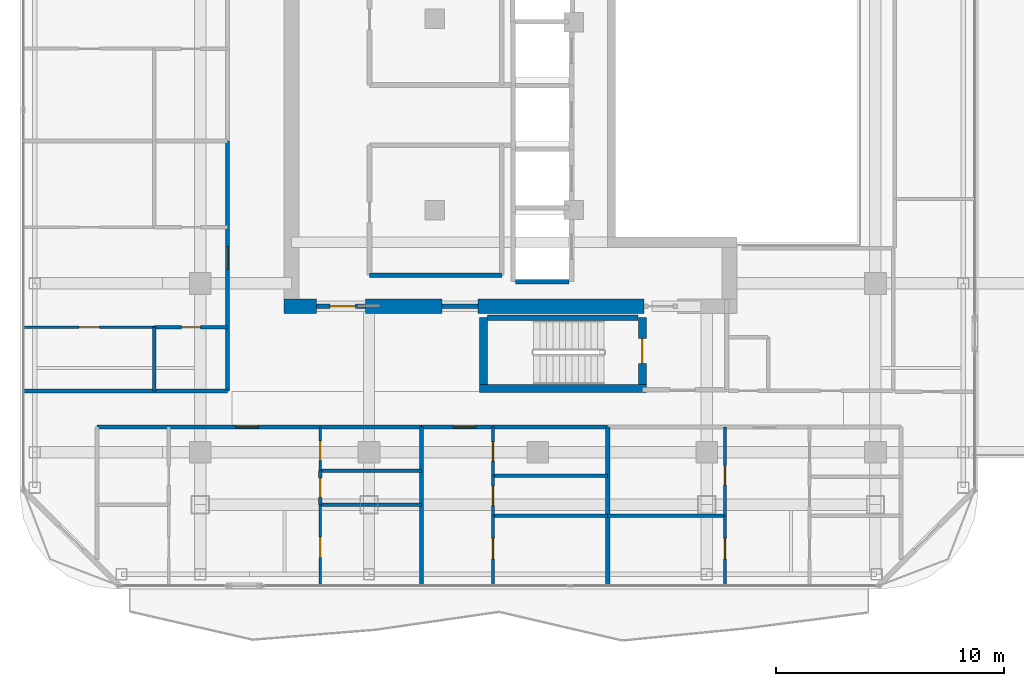
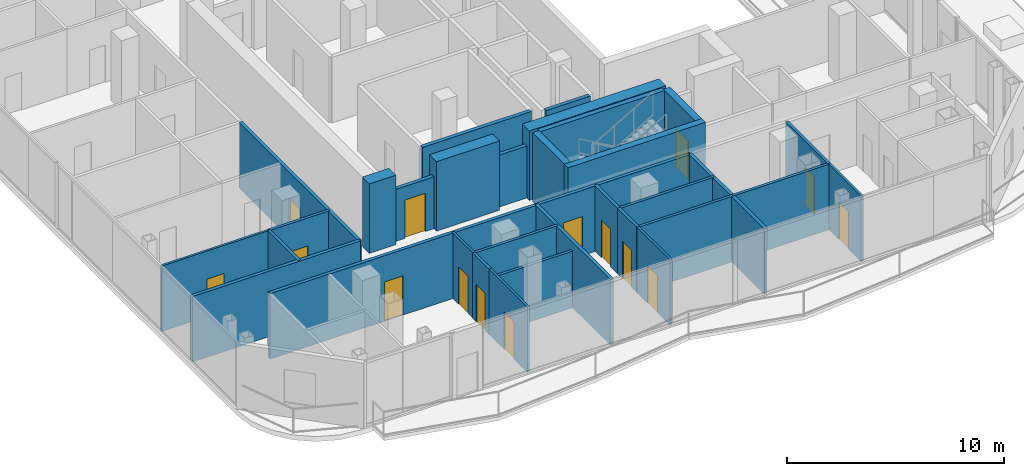
# One storey, part 17 of 24: 33 walls, 15 doors, 15 openings.
"""IFC4 building model written with IfcOpenShell, lengths in metres."""

from ifc_helpers import new_model, si_unit, direction, frame, frame_2d, origin, place, context, subcontext, project, spatial, rectangle, extrude, material, layer, layer_set, type_object, element, fill, save


model = new_model("IFC4")

# Units and contexts
model_context = context("Model", 3, precision=1e-05, world=origin(), true_north=direction((0.0, 1.0)))
body_context = subcontext(model_context, "Body", "Model", "MODEL_VIEW")
ifc_project = project(units=[si_unit("LENGTHUNIT", "METRE"), si_unit("AREAUNIT", "SQUARE_METRE"), si_unit("VOLUMEUNIT", "CUBIC_METRE"), si_unit("PLANEANGLEUNIT", "RADIAN"), si_unit("MASSUNIT", "GRAM", prefix="KILO")], contexts=[model_context])

# Site, building, storey
site_placement = place(None, origin())
site = spatial("IfcSite", under=ifc_project, at=site_placement, CompositionType="ELEMENT")
building_placement = place(site_placement, origin())
building = spatial("IfcBuilding", under=site, at=building_placement, Name="Khorvyn Point Tower", CompositionType="ELEMENT")
storey_placement = place(building_placement, frame((0.0, 0.0, 285.89990234375)))
storey = spatial("IfcBuildingStorey", under=building, at=storey_placement, Name="L70", CompositionType="ELEMENT", Elevation=285.89990234375)

# Wall, opening, door
ifc_material_1 = material(Name="Double acoustic gypsum on twin steel stud", Category="steel")
ifc_layer_1 = layer(ifc_material_1, 0.179931640625)
ifc_layer_set_1 = layer_set([ifc_layer_1], Name="Acoustic Double-Stud Apartment Demising Wall 180")
wall_type_1 = type_object("IfcWallType", Name="Acoustic Double-Stud Apartment Demising Wall 180", PredefinedType="PARTITIONING", material=ifc_layer_set_1)
wall_1_placement = place(storey_placement, frame((-19.320068359375, -13.699951171875, 0.0), z_axis=(0.0, 0.0, 1.0), x_axis=(1.0, 0.0, 0.0)))
wall_1 = element("IfcWall", 1, at=wall_1_placement, inside=storey, type_object=wall_type_1, Name="Wall", PredefinedType="PARTITIONING", context=body_context, shape_type="SweptSolid", body=[
    extrude(rectangle(XDim=14.213134765625, YDim=0.179931640625, at=frame_2d((7.1064453125, 0.0))), origin(), (0.0, 0.0, 1.0), 3.68017578125),
])
opening_1_placement = place(wall_1_placement, frame((6.0693359375, 0.0, 0.0)))
opening_1 = element("IfcOpeningElement", 2, at=opening_1_placement, cuts=wall_1, Name="Opening ID-AP60", PredefinedType="OPENING", context=body_context, shape_type="SweptSolid", body=[
    extrude(rectangle(XDim=1.0, YDim=2.199951171875, at=frame_2d((0.5, 1.10009765625))), frame((0.0, 0.099853515625, 0.0), z_axis=(0.0, -1.0, 0.0), x_axis=(1.0, 0.0, 0.0)), (0.0, 0.0, 1.0), 0.199951171875),
])
ifc_material_2 = material(Name="Engineered hardwood fire-rated leaf", Category="wood")
door_type_1 = type_object("IfcDoorType", Name="Acoustic Solid-Core Timber Apartment Entrance Door 1000x2200", OperationType="NOTDEFINED", PredefinedType="DOOR", material=ifc_material_2)
door_1_placement = place(opening_1_placement, origin())
door_1 = element("IfcDoor", 3, at=door_1_placement, inside=storey, type_object=door_type_1, Name="Door", OperationType="SINGLE_SWING_RIGHT", OverallHeight=2.199951171875, OverallWidth=1.0, PredefinedType="DOOR", context=body_context, shape_type="SweptSolid", body=[
    extrude(rectangle(XDim=1.0, YDim=2.199951171875, at=frame_2d((0.5, 1.10009765625))), frame((0.0, 0.02490234375, 0.0), z_axis=(0.0, -1.0, 0.0), x_axis=(1.0, 0.0, 0.0)), (0.0, 0.0, 1.0), 0.050048828125),
])
fill(opening_1, door_1)

wall_2_placement = place(storey_placement, frame((-5.10693359375, -13.699951171875, 0.0), z_axis=(0.0, 0.0, 1.0), x_axis=(1.0, 0.0, 0.0)))
wall_2 = element("IfcWall", 4, at=wall_2_placement, inside=storey, type_object=wall_type_1, Name="Wall", PredefinedType="PARTITIONING", context=body_context, shape_type="SweptSolid", body=[
    extrude(rectangle(XDim=8.169921875, YDim=0.179931640625, at=frame_2d((4.0849609375, 0.0))), origin(), (0.0, 0.0, 1.0), 3.68017578125),
])
opening_2_placement = place(wall_2_placement, frame((1.389404296875, 0.0, 0.0)))
opening_2 = element("IfcOpeningElement", 5, at=opening_2_placement, cuts=wall_2, Name="Opening ID-AP60", PredefinedType="OPENING", context=body_context, shape_type="SweptSolid", body=[
    extrude(rectangle(XDim=1.0, YDim=2.199951171875, at=frame_2d((0.5, 1.10009765625))), frame((0.0, 0.099853515625, 0.0), z_axis=(0.0, -1.0, 0.0), x_axis=(1.0, 0.0, 0.0)), (0.0, 0.0, 1.0), 0.199951171875),
])
door_2_placement = place(opening_2_placement, origin())
door_2 = element("IfcDoor", 6, at=door_2_placement, inside=storey, type_object=door_type_1, Name="Door", OperationType="SINGLE_SWING_RIGHT", OverallHeight=2.199951171875, OverallWidth=1.0, PredefinedType="DOOR", context=body_context, shape_type="SweptSolid", body=[
    extrude(rectangle(XDim=1.0, YDim=2.199951171875, at=frame_2d((0.5, 1.10009765625))), frame((0.0, 0.02490234375, 0.0), z_axis=(0.0, -1.0, 0.0), x_axis=(1.0, 0.0, 0.0)), (0.0, 0.0, 1.0), 0.050048828125),
])
fill(opening_2, door_2)

wall_3_placement = place(storey_placement, frame((-13.60009765625, -12.1201171875, 0.0), z_axis=(0.0, 0.0, 1.0), x_axis=(0.0, 1.0, 0.0)))
wall_3 = element("IfcWall", 7, at=wall_3_placement, inside=storey, type_object=wall_type_1, Name="Wall", PredefinedType="PARTITIONING", context=body_context, shape_type="SweptSolid", body=[
    extrude(rectangle(XDim=10.9560546875, YDim=0.179931640625, at=frame_2d((5.47802734375, 0.0))), origin(), (0.0, 0.0, 1.0), 3.68017578125),
])
opening_3_placement = place(wall_3_placement, frame((5.3349609375, 0.0, 0.0)))
opening_3 = element("IfcOpeningElement", 8, at=opening_3_placement, cuts=wall_3, Name="Opening ID-AP60", PredefinedType="OPENING", context=body_context, shape_type="SweptSolid", body=[
    extrude(rectangle(XDim=1.0, YDim=2.199951171875, at=frame_2d((0.5, 1.10009765625))), frame((0.0, 0.099853515625, 0.0), z_axis=(0.0, -1.0, 0.0), x_axis=(1.0, 0.0, 0.0)), (0.0, 0.0, 1.0), 0.199951171875),
])
door_3_placement = place(opening_3_placement, origin())
door_3 = element("IfcDoor", 9, at=door_3_placement, inside=storey, type_object=door_type_1, Name="Door", OperationType="SINGLE_SWING_RIGHT", OverallHeight=2.199951171875, OverallWidth=1.0, PredefinedType="DOOR", context=body_context, shape_type="SweptSolid", body=[
    extrude(rectangle(XDim=1.0, YDim=2.199951171875, at=frame_2d((0.5, 1.10009765625))), frame((0.0, 0.02490234375, 0.0), z_axis=(0.0, -1.0, 0.0), x_axis=(1.0, 0.0, 0.0)), (0.0, 0.0, 1.0), 0.050048828125),
])
fill(opening_3, door_3)

# Walls
for number, where, z_axis, x_axis, name in (
    (10, (-5.10693359375, -20.6298828125, 0.0), (0.0, 0.0, 1.0), (0.0, 1.0, 0.0), "Wall"),
    (11, (3.06298828125, -20.6298828125, 0.0), (0.0, 0.0, 1.0), (0.0, 1.0, 0.0), "Wall"),
):
    element("IfcWall", number, at=place(storey_placement, frame(where, z_axis=z_axis, x_axis=x_axis)), inside=storey, type_object=wall_type_1, Name=name, PredefinedType="PARTITIONING", context=body_context, shape_type="SweptSolid", body=[
        extrude(rectangle(XDim=6.929931640625, YDim=0.179931640625, at=frame_2d((3.46484375, 0.0))), origin(), (0.0, 0.0, 1.0), 3.68017578125),
    ])
wall_4_placement = place(storey_placement, frame((-22.530029296875, -12.1201171875, 0.0), z_axis=(0.0, 0.0, 1.0), x_axis=(1.0, 0.0, 0.0)))
element("IfcWall", 12, at=wall_4_placement, inside=storey, type_object=wall_type_1, Name="Wall", PredefinedType="PARTITIONING", context=body_context, shape_type="SweptSolid", body=[
    extrude(rectangle(XDim=8.929931640625, YDim=0.179931640625, at=frame_2d((4.46484375, 0.0))), origin(), (0.0, 0.0, 1.0), 3.68017578125),
])
ifc_material_3 = material(Name="Concrete C40/50", Category="concrete")
ifc_layer_2 = layer(ifc_material_3, 0.64990234375)
ifc_layer_set_2 = layer_set([ifc_layer_2], Name="Concrete C40/50 Core Shear Wall 650")
wall_type_2 = type_object("IfcWallType", Name="Concrete C40/50 Core Shear Wall 650", PredefinedType="SHEAR", material=ifc_layer_set_2)
wall_5_placement = place(storey_placement, frame((-11.125, -8.39990234375, 0.0), z_axis=(0.0, 0.0, 1.0), x_axis=(1.0, 0.0, 0.0)))
element("IfcWall", 13, at=wall_5_placement, inside=storey, type_object=wall_type_2, Name="Wall", PredefinedType="SHEAR", context=body_context, shape_type="SweptSolid", body=[
    extrude(rectangle(XDim=1.425048828125, YDim=0.64990234375, at=frame_2d((0.71240234375, 0.0))), origin(), (0.0, 0.0, 1.0), 3.900146484375),
])
wall_6_placement = place(storey_placement, frame((-7.550048828125, -8.39990234375, 0.0), z_axis=(0.0, 0.0, 1.0), x_axis=(1.0, 0.0, 0.0)))
element("IfcWall", 14, at=wall_6_placement, inside=storey, type_object=wall_type_2, Name="Wall", PredefinedType="SHEAR", context=body_context, shape_type="SweptSolid", body=[
    extrude(rectangle(XDim=3.35009765625, YDim=0.64990234375, at=frame_2d((1.675048828125, 0.0))), origin(), (0.0, 0.0, 1.0), 3.900146484375),
])
wall_7_placement = place(storey_placement, frame((-2.6201171875, -8.39990234375, 0.0), z_axis=(0.0, 0.0, 1.0), x_axis=(1.0, 0.0, 0.0)))
element("IfcWall", 15, at=wall_7_placement, inside=storey, type_object=wall_type_2, Name="Wall", PredefinedType="SHEAR", context=body_context, shape_type="SweptSolid", body=[
    extrude(rectangle(XDim=7.27001953125, YDim=0.64990234375, at=frame_2d((3.635009765625, 0.0))), origin(), (0.0, 0.0, 1.0), 3.900146484375),
])

# Wall, opening, door
ifc_layer_3 = layer(ifc_material_3, 0.199951171875)
ifc_layer_set_3 = layer_set([ifc_layer_3], Name="Concrete C40/50 Fire-Lobby Compartment Wall 200")
wall_type_3 = type_object("IfcWallType", Name="Concrete C40/50 Fire-Lobby Compartment Wall 200", PredefinedType="SOLIDWALL", material=ifc_layer_set_3)
wall_8_placement = place(storey_placement, frame((-9.699951171875, -8.39990234375, 0.0), z_axis=(0.0, 0.0, 1.0), x_axis=(1.0, 0.0, 0.0)))
wall_8 = element("IfcWall", 16, at=wall_8_placement, inside=storey, type_object=wall_type_3, Name="Wall", PredefinedType="SOLIDWALL", context=body_context, shape_type="SweptSolid", body=[
    extrude(rectangle(XDim=2.14990234375, YDim=0.199951171875, at=frame_2d((1.074951171875, 0.0))), origin(), (0.0, 0.0, 1.0), 2.920166015625),
])
opening_4_placement = place(wall_8_placement, frame((0.597900390625, 0.0, 0.0)))
opening_4 = element("IfcOpeningElement", 17, at=opening_4_placement, cuts=wall_8, Name="Opening ID-FL90", PredefinedType="OPENING", context=body_context, shape_type="SweptSolid", body=[
    extrude(rectangle(XDim=1.10009765625, YDim=2.14990234375, at=frame_2d((0.550048828125, 1.074951171875))), frame((0.0, 0.10986328125, 0.0), z_axis=(0.0, -1.0, 0.0), x_axis=(1.0, 0.0, 0.0)), (0.0, 0.0, 1.0), 0.219970703125),
])
ifc_material_4 = material(Name="Galvanised powder-coated steel", Category="steel")
door_type_2 = type_object("IfcDoorType", Name="Fire-Rated Steel Lobby and Stair Door 1100x2150", OperationType="NOTDEFINED", PredefinedType="DOOR", material=ifc_material_4)
door_4_placement = place(opening_4_placement, origin())
door_4 = element("IfcDoor", 18, at=door_4_placement, inside=storey, type_object=door_type_2, Name="Door", OperationType="SINGLE_SWING_RIGHT", OverallHeight=2.14990234375, OverallWidth=1.10009765625, PredefinedType="DOOR", context=body_context, shape_type="SweptSolid", body=[
    extrude(rectangle(XDim=1.10009765625, YDim=2.14990234375, at=frame_2d((0.550048828125, 1.074951171875))), frame((0.0, 0.02490234375, 0.0), z_axis=(0.0, -1.0, 0.0), x_axis=(1.0, 0.0, 0.0)), (0.0, 0.0, 1.0), 0.050048828125),
])
fill(opening_4, door_4)

# Walls
wall_9_placement = place(storey_placement, frame((-4.199951171875, -8.39990234375, 0.0), z_axis=(0.0, 0.0, 1.0), x_axis=(1.0, 0.0, 0.0)))
element("IfcWall", 19, at=wall_9_placement, inside=storey, type_object=wall_type_3, Name="Wall", PredefinedType="SOLIDWALL", context=body_context, shape_type="SweptSolid", body=[
    extrude(rectangle(XDim=1.579833984375, YDim=0.199951171875, at=frame_2d((0.7900390625, 0.0))), origin(), (0.0, 0.0, 1.0), 2.920166015625),
])
wall_10_placement = place(storey_placement, frame((-7.3798828125, -7.0400390625, 0.0), z_axis=(0.0, 0.0, 1.0), x_axis=(1.0, 0.0, 0.0)))
element("IfcWall", 20, at=wall_10_placement, inside=storey, type_object=wall_type_3, Name="Wall", PredefinedType="SOLIDWALL", context=body_context, shape_type="SweptSolid", body=[
    extrude(rectangle(XDim=5.7998046875, YDim=0.199951171875, at=frame_2d((2.89990234375, 0.0))), origin(), (0.0, 0.0, 1.0), 3.68017578125),
])
ifc_layer_4 = layer(ifc_material_3, 0.25)
ifc_layer_set_4 = layer_set([ifc_layer_4], Name="Concrete C40/50 Stair Inner Cheek Structural Wall 250")
wall_type_4 = type_object("IfcWallType", Name="Concrete C40/50 Stair Inner Cheek Structural Wall 250", PredefinedType="SHEAR", material=ifc_layer_set_4)
wall_11_placement = place(storey_placement, frame((-2.199951171875, -8.89990234375, 0.0), z_axis=(0.0, 0.0, 1.0), x_axis=(1.0, 0.0, 0.0)))
element("IfcWall", 21, at=wall_11_placement, inside=storey, type_object=wall_type_4, Name="Wall", PredefinedType="SHEAR", context=body_context, shape_type="SweptSolid", body=[
    extrude(rectangle(XDim=6.599853515625, YDim=0.25, at=frame_2d((3.2998046875, 0.0))), origin(), (0.0, 0.0, 1.0), 3.900146484375),
])
ifc_layer_5 = layer(ifc_material_3, 0.35009765625)
ifc_layer_set_5 = layer_set([ifc_layer_5], Name="Concrete C40/50 Stair Shaft Structural Wall 350")
wall_type_5 = type_object("IfcWallType", Name="Concrete C40/50 Stair Shaft Structural Wall 350", PredefinedType="SHEAR", material=ifc_layer_set_5)
wall_12_placement = place(storey_placement, frame((-2.554931640625, -12.0, 0.0), z_axis=(0.0, 0.0, 1.0), x_axis=(1.0, 0.0, 0.0)))
element("IfcWall", 22, at=wall_12_placement, inside=storey, type_object=wall_type_5, Name="L70 ST-01 South Shaft Wall", PredefinedType="SHEAR", context=body_context, shape_type="SweptSolid", body=[
    extrude(rectangle(XDim=7.309814453125, YDim=0.35009765625, at=frame_2d((3.65478515625, 0.0))), origin(), (0.0, 0.0, 1.0), 3.900146484375),
])
wall_13_placement = place(storey_placement, frame((-2.3798828125, -11.824951171875, 0.0), z_axis=(0.0, 0.0, 1.0), x_axis=(0.0, 1.0, 0.0)))
element("IfcWall", 23, at=wall_13_placement, inside=storey, type_object=wall_type_5, Name="L70 ST-01 West Shaft Wall", PredefinedType="SHEAR", context=body_context, shape_type="SweptSolid", body=[
    extrude(rectangle(XDim=2.925048828125, YDim=0.35009765625, at=frame_2d((1.46240234375, 0.0))), origin(), (0.0, 0.0, 1.0), 3.900146484375),
])

# Wall, opening, door
wall_14_placement = place(storey_placement, frame((4.580078125, -8.89990234375, 0.0), z_axis=(0.0, 0.0, 1.0), x_axis=(0.0, -1.0, 0.0)))
wall_14 = element("IfcWall", 24, at=wall_14_placement, inside=storey, type_object=wall_type_5, Name="L70 ST-01 East Landing Door Wall", PredefinedType="SHEAR", context=body_context, shape_type="SweptSolid", body=[
    extrude(rectangle(XDim=2.925048828125, YDim=0.35009765625, at=frame_2d((1.46240234375, 0.0))), origin(), (0.0, 0.0, 1.0), 3.900146484375),
])
opening_5_placement = place(wall_14_placement, frame((0.91259765625, 0.0, 0.0)))
opening_5 = element("IfcOpeningElement", 25, at=opening_5_placement, cuts=wall_14, Name="Opening ID-FL90", PredefinedType="OPENING", context=body_context, shape_type="SweptSolid", body=[
    extrude(rectangle(XDim=1.10009765625, YDim=2.14990234375, at=frame_2d((0.550048828125, 1.074951171875))), frame((0.0, 0.18505859375, 0.0), z_axis=(0.0, -1.0, 0.0), x_axis=(1.0, 0.0, 0.0)), (0.0, 0.0, 1.0), 0.3701171875),
])
door_5_placement = place(opening_5_placement, origin())
door_5 = element("IfcDoor", 26, at=door_5_placement, inside=storey, type_object=door_type_2, Name="L70 ST-01 Smokeproof Landing Door", OperationType="SINGLE_SWING_RIGHT", OverallHeight=2.14990234375, OverallWidth=1.10009765625, PredefinedType="DOOR", context=body_context, shape_type="SweptSolid", body=[
    extrude(rectangle(XDim=1.10009765625, YDim=2.14990234375, at=frame_2d((0.550048828125, 1.074951171875))), frame((0.0, 0.02490234375, 0.0), z_axis=(0.0, -1.0, 0.0), x_axis=(1.0, 0.0, 0.0)), (0.0, 0.0, 1.0), 0.050048828125),
])
fill(opening_5, door_5)

# Wall
ifc_layer_6 = layer(ifc_material_3, 0.199951171875)
ifc_layer_set_6 = layer_set([ifc_layer_6], Name="Concrete C40/50 Structural Hoistway and Stair Shaft Wall 200")
wall_type_6 = type_object("IfcWallType", Name="Concrete C40/50 Structural Hoistway and Stair Shaft Wall 200", PredefinedType="SHEAR", material=ifc_layer_set_6)
wall_15_placement = place(storey_placement, frame((-0.97509765625, -7.324951171875, 0.0), z_axis=(0.0, 0.0, 1.0), x_axis=(1.0, 0.0, 0.0)))
element("IfcWall", 27, at=wall_15_placement, inside=storey, type_object=wall_type_6, Name="Wall", PredefinedType="SHEAR", context=body_context, shape_type="SweptSolid", body=[
    extrude(rectangle(XDim=2.35009765625, YDim=0.199951171875, at=frame_2d((1.175048828125, 0.0))), origin(), (0.0, 0.0, 1.0), 3.68017578125),
])

# Wall, opening, door
ifc_material_5 = material(Name="Gypsum plasterboard on steel stud", Category="steel")
ifc_layer_7 = layer(ifc_material_5, 0.1201171875)
ifc_layer_set_7 = layer_set([ifc_layer_7], Name="Gypsum Acoustic Stud Room Partition Wall 120")
wall_type_7 = type_object("IfcWallType", Name="Gypsum Acoustic Stud Room Partition Wall 120", PredefinedType="PARTITIONING", material=ifc_layer_set_7)
wall_16_placement = place(storey_placement, frame((-9.541015625, -15.60791015625, 0.0), z_axis=(0.0, 0.0, 1.0), x_axis=(0.0, 1.0, 0.0)))
wall_16 = element("IfcWall", 28, at=wall_16_placement, inside=storey, type_object=wall_type_7, Name="Wall", PredefinedType="PARTITIONING", context=body_context, shape_type="SweptSolid", body=[
    extrude(rectangle(XDim=1.907958984375, YDim=0.1201171875, at=frame_2d((0.9541015625, 0.0))), origin(), (0.0, 0.0, 1.0), 3.68017578125),
])
opening_6_placement = place(wall_16_placement, frame((0.455078125, 0.0, 0.0)))
opening_6 = element("IfcOpeningElement", 29, at=opening_6_placement, cuts=wall_16, Name="Opening ID-WC85", PredefinedType="OPENING", context=body_context, shape_type="SweptSolid", body=[
    extrude(rectangle(XDim=0.85009765625, YDim=2.10009765625, at=frame_2d((0.425048828125, 1.050048828125))), frame((0.0, 0.070068359375, 0.0), z_axis=(0.0, -1.0, 0.0), x_axis=(1.0, 0.0, 0.0)), (0.0, 0.0, 1.0), 0.14013671875),
])
ifc_material_6 = material(Name="High-pressure laminate on moisture-resistant core", Category="wood")
door_type_3 = type_object("IfcDoorType", Name="Moisture-Resistant Accessible Washroom Door 850x2100", OperationType="NOTDEFINED", PredefinedType="DOOR", material=ifc_material_6)
door_6_placement = place(opening_6_placement, origin())
door_6 = element("IfcDoor", 30, at=door_6_placement, inside=storey, type_object=door_type_3, Name="Door", OperationType="SINGLE_SWING_RIGHT", OverallHeight=2.10009765625, OverallWidth=0.85009765625, PredefinedType="DOOR", context=body_context, shape_type="SweptSolid", body=[
    extrude(rectangle(XDim=0.85009765625, YDim=2.10009765625, at=frame_2d((0.425048828125, 1.050048828125))), frame((0.0, 0.02490234375, 0.0), z_axis=(0.0, -1.0, 0.0), x_axis=(1.0, 0.0, 0.0)), (0.0, 0.0, 1.0), 0.050048828125),
])
fill(opening_6, door_6)

wall_17_placement = place(storey_placement, frame((-9.541015625, -20.6298828125, 0.0), z_axis=(0.0, 0.0, 1.0), x_axis=(0.0, 1.0, 0.0)))
wall_17 = element("IfcWall", 31, at=wall_17_placement, inside=storey, type_object=wall_type_7, Name="Wall", PredefinedType="PARTITIONING", context=body_context, shape_type="SweptSolid", body=[
    extrude(rectangle(XDim=3.52197265625, YDim=0.1201171875, at=frame_2d((1.760986328125, 0.0))), origin(), (0.0, 0.0, 1.0), 3.68017578125),
])
opening_7_placement = place(wall_17_placement, frame((1.222412109375, 0.0, 0.0)))
opening_7 = element("IfcOpeningElement", 32, at=opening_7_placement, cuts=wall_17, Name="Opening ID-RM90", PredefinedType="OPENING", context=body_context, shape_type="SweptSolid", body=[
    extrude(rectangle(XDim=0.89990234375, YDim=2.10009765625, at=frame_2d((0.449951171875, 1.050048828125))), frame((0.0, 0.070068359375, 0.0), z_axis=(0.0, -1.0, 0.0), x_axis=(1.0, 0.0, 0.0)), (0.0, 0.0, 1.0), 0.14013671875),
])
ifc_material_7 = material(Name="Engineered oak veneer timber", Category="wood")
door_type_4 = type_object("IfcDoorType", Name="Flush Engineered Timber Room Door 900x2100", OperationType="NOTDEFINED", PredefinedType="DOOR", material=ifc_material_7)
door_7_placement = place(opening_7_placement, origin())
door_7 = element("IfcDoor", 33, at=door_7_placement, inside=storey, type_object=door_type_4, Name="Door", OperationType="SINGLE_SWING_LEFT", OverallHeight=2.10009765625, OverallWidth=0.89990234375, PredefinedType="DOOR", context=body_context, shape_type="SweptSolid", body=[
    extrude(rectangle(XDim=0.89990234375, YDim=2.10009765625, at=frame_2d((0.449951171875, 1.050048828125))), frame((0.0, 0.02490234375, 0.0), z_axis=(0.0, -1.0, 0.0), x_axis=(1.0, 0.0, 0.0)), (0.0, 0.0, 1.0), 0.050048828125),
])
fill(opening_7, door_7)

wall_18_placement = place(storey_placement, frame((-1.965087890625, -20.6298828125, 0.0), z_axis=(0.0, 0.0, 1.0), x_axis=(0.0, 1.0, 0.0)))
wall_18 = element("IfcWall", 34, at=wall_18_placement, inside=storey, type_object=wall_type_7, Name="Wall", PredefinedType="PARTITIONING", context=body_context, shape_type="SweptSolid", body=[
    extrude(rectangle(XDim=3.039794921875, YDim=0.1201171875, at=frame_2d((1.52001953125, 0.0))), origin(), (0.0, 0.0, 1.0), 3.68017578125),
])
opening_8_placement = place(wall_18_placement, frame((1.152587890625, 0.0, 0.0)))
opening_8 = element("IfcOpeningElement", 35, at=opening_8_placement, cuts=wall_18, Name="Opening ID-RM90", PredefinedType="OPENING", context=body_context, shape_type="SweptSolid", body=[
    extrude(rectangle(XDim=0.89990234375, YDim=2.10009765625, at=frame_2d((0.449951171875, 1.050048828125))), frame((0.0, 0.070068359375, 0.0), z_axis=(0.0, -1.0, 0.0), x_axis=(1.0, 0.0, 0.0)), (0.0, 0.0, 1.0), 0.14013671875),
])
door_8_placement = place(opening_8_placement, origin())
door_8 = element("IfcDoor", 36, at=door_8_placement, inside=storey, type_object=door_type_4, Name="Door", OperationType="SINGLE_SWING_LEFT", OverallHeight=2.10009765625, OverallWidth=0.89990234375, PredefinedType="DOOR", context=body_context, shape_type="SweptSolid", body=[
    extrude(rectangle(XDim=0.89990234375, YDim=2.10009765625, at=frame_2d((0.449951171875, 1.050048828125))), frame((0.0, 0.02490234375, 0.0), z_axis=(0.0, -1.0, 0.0), x_axis=(1.0, 0.0, 0.0)), (0.0, 0.0, 1.0), 0.050048828125),
])
fill(opening_8, door_8)

wall_19_placement = place(storey_placement, frame((8.2060546875, -20.6298828125, 0.0), z_axis=(0.0, 0.0, 1.0), x_axis=(0.0, 1.0, 0.0)))
wall_19 = element("IfcWall", 37, at=wall_19_placement, inside=storey, type_object=wall_type_7, Name="Wall", PredefinedType="PARTITIONING", context=body_context, shape_type="SweptSolid", body=[
    extrude(rectangle(XDim=3.039794921875, YDim=0.1201171875, at=frame_2d((1.52001953125, 0.0))), origin(), (0.0, 0.0, 1.0), 3.68017578125),
])
opening_9_placement = place(wall_19_placement, frame((1.152587890625, 0.0, 0.0)))
opening_9 = element("IfcOpeningElement", 38, at=opening_9_placement, cuts=wall_19, Name="Opening ID-RM90", PredefinedType="OPENING", context=body_context, shape_type="SweptSolid", body=[
    extrude(rectangle(XDim=0.89990234375, YDim=2.10009765625, at=frame_2d((0.449951171875, 1.050048828125))), frame((0.0, 0.070068359375, 0.0), z_axis=(0.0, -1.0, 0.0), x_axis=(1.0, 0.0, 0.0)), (0.0, 0.0, 1.0), 0.14013671875),
])
door_9_placement = place(opening_9_placement, origin())
door_9 = element("IfcDoor", 39, at=door_9_placement, inside=storey, type_object=door_type_4, Name="Door", OperationType="SINGLE_SWING_RIGHT", OverallHeight=2.10009765625, OverallWidth=0.89990234375, PredefinedType="DOOR", context=body_context, shape_type="SweptSolid", body=[
    extrude(rectangle(XDim=0.89990234375, YDim=2.10009765625, at=frame_2d((0.449951171875, 1.050048828125))), frame((0.0, 0.02490234375, 0.0), z_axis=(0.0, -1.0, 0.0), x_axis=(1.0, 0.0, 0.0)), (0.0, 0.0, 1.0), 0.050048828125),
])
fill(opening_9, door_9)

wall_20_placement = place(storey_placement, frame((-22.530029296875, -9.320068359375, 0.0), z_axis=(0.0, 0.0, 1.0), x_axis=(1.0, 0.0, 0.0)))
wall_20 = element("IfcWall", 40, at=wall_20_placement, inside=storey, type_object=wall_type_7, Name="Wall", PredefinedType="PARTITIONING", context=body_context, shape_type="SweptSolid", body=[
    extrude(rectangle(XDim=5.720947265625, YDim=0.1201171875, at=frame_2d((2.8603515625, 0.0))), origin(), (0.0, 0.0, 1.0), 3.68017578125),
])
opening_10_placement = place(wall_20_placement, frame((2.410400390625, 0.0, 0.0)))
opening_10 = element("IfcOpeningElement", 41, at=opening_10_placement, cuts=wall_20, Name="Opening ID-RM90", PredefinedType="OPENING", context=body_context, shape_type="SweptSolid", body=[
    extrude(rectangle(XDim=0.89990234375, YDim=2.10009765625, at=frame_2d((0.449951171875, 1.050048828125))), frame((0.0, 0.070068359375, 0.0), z_axis=(0.0, -1.0, 0.0), x_axis=(1.0, 0.0, 0.0)), (0.0, 0.0, 1.0), 0.14013671875),
])
door_10_placement = place(opening_10_placement, origin())
door_10 = element("IfcDoor", 42, at=door_10_placement, inside=storey, type_object=door_type_4, Name="Door", OperationType="SINGLE_SWING_LEFT", OverallHeight=2.10009765625, OverallWidth=0.89990234375, PredefinedType="DOOR", context=body_context, shape_type="SweptSolid", body=[
    extrude(rectangle(XDim=0.89990234375, YDim=2.10009765625, at=frame_2d((0.449951171875, 1.050048828125))), frame((0.0, 0.02490234375, 0.0), z_axis=(0.0, -1.0, 0.0), x_axis=(1.0, 0.0, 0.0)), (0.0, 0.0, 1.0), 0.050048828125),
])
fill(opening_10, door_10)

ifc_material_8 = material(Name="Moisture-resistant gypsum and cement board", Category="gypsum")
ifc_layer_8 = layer(ifc_material_8, 0.14990234375)
ifc_layer_set_8 = layer_set([ifc_layer_8], Name="Moisture-Resistant Wet-Room Partition Wall 150")
wall_type_8 = type_object("IfcWallType", Name="Moisture-Resistant Wet-Room Partition Wall 150", PredefinedType="PARTITIONING", material=ifc_layer_set_8)
wall_21_placement = place(storey_placement, frame((-9.541015625, -17.10791015625, 0.0), z_axis=(0.0, 0.0, 1.0), x_axis=(0.0, 1.0, 0.0)))
wall_21 = element("IfcWall", 43, at=wall_21_placement, inside=storey, type_object=wall_type_8, Name="Wall", PredefinedType="PARTITIONING", context=body_context, shape_type="SweptSolid", body=[
    extrude(rectangle(XDim=1.5, YDim=0.14990234375, at=frame_2d((0.75, 0.0))), origin(), (0.0, 0.0, 1.0), 3.68017578125),
])
opening_11_placement = place(wall_21_placement, frame((0.324951171875, 0.0, 0.0)))
opening_11 = element("IfcOpeningElement", 44, at=opening_11_placement, cuts=wall_21, Name="Opening ID-WC85", PredefinedType="OPENING", context=body_context, shape_type="SweptSolid", body=[
    extrude(rectangle(XDim=0.85009765625, YDim=2.10009765625, at=frame_2d((0.425048828125, 1.050048828125))), frame((0.0, 0.0849609375, 0.0), z_axis=(0.0, -1.0, 0.0), x_axis=(1.0, 0.0, 0.0)), (0.0, 0.0, 1.0), 0.169921875),
])
door_11_placement = place(opening_11_placement, origin())
door_11 = element("IfcDoor", 45, at=door_11_placement, inside=storey, type_object=door_type_3, Name="Door", OperationType="SINGLE_SWING_LEFT", OverallHeight=2.10009765625, OverallWidth=0.85009765625, PredefinedType="DOOR", context=body_context, shape_type="SweptSolid", body=[
    extrude(rectangle(XDim=0.85009765625, YDim=2.10009765625, at=frame_2d((0.425048828125, 1.050048828125))), frame((0.0, 0.02490234375, 0.0), z_axis=(0.0, -1.0, 0.0), x_axis=(1.0, 0.0, 0.0)), (0.0, 0.0, 1.0), 0.050048828125),
])
fill(opening_11, door_11)

wall_22_placement = place(storey_placement, frame((-1.965087890625, -15.839111328125, 0.0), z_axis=(0.0, 0.0, 1.0), x_axis=(0.0, 1.0, 0.0)))
wall_22 = element("IfcWall", 46, at=wall_22_placement, inside=storey, type_object=wall_type_8, Name="Wall", PredefinedType="PARTITIONING", context=body_context, shape_type="SweptSolid", body=[
    extrude(rectangle(XDim=2.13916015625, YDim=0.14990234375, at=frame_2d((1.069580078125, 0.0))), origin(), (0.0, 0.0, 1.0), 3.68017578125),
])
opening_12_placement = place(wall_22_placement, frame((0.64453125, 0.0, 0.0)))
opening_12 = element("IfcOpeningElement", 47, at=opening_12_placement, cuts=wall_22, Name="Opening ID-WC85", PredefinedType="OPENING", context=body_context, shape_type="SweptSolid", body=[
    extrude(rectangle(XDim=0.85009765625, YDim=2.10009765625, at=frame_2d((0.425048828125, 1.050048828125))), frame((0.0, 0.0849609375, 0.0), z_axis=(0.0, -1.0, 0.0), x_axis=(1.0, 0.0, 0.0)), (0.0, 0.0, 1.0), 0.169921875),
])
door_12_placement = place(opening_12_placement, origin())
door_12 = element("IfcDoor", 48, at=door_12_placement, inside=storey, type_object=door_type_3, Name="Door", OperationType="SINGLE_SWING_LEFT", OverallHeight=2.10009765625, OverallWidth=0.85009765625, PredefinedType="DOOR", context=body_context, shape_type="SweptSolid", body=[
    extrude(rectangle(XDim=0.85009765625, YDim=2.10009765625, at=frame_2d((0.425048828125, 1.050048828125))), frame((0.0, 0.02490234375, 0.0), z_axis=(0.0, -1.0, 0.0), x_axis=(1.0, 0.0, 0.0)), (0.0, 0.0, 1.0), 0.050048828125),
])
fill(opening_12, door_12)

wall_23_placement = place(storey_placement, frame((-1.965087890625, -17.590087890625, 0.0), z_axis=(0.0, 0.0, 1.0), x_axis=(0.0, 1.0, 0.0)))
wall_23 = element("IfcWall", 49, at=wall_23_placement, inside=storey, type_object=wall_type_8, Name="Wall", PredefinedType="PARTITIONING", context=body_context, shape_type="SweptSolid", body=[
    extrude(rectangle(XDim=1.7509765625, YDim=0.14990234375, at=frame_2d((0.87548828125, 0.0))), origin(), (0.0, 0.0, 1.0), 3.68017578125),
])
opening_13_placement = place(wall_23_placement, frame((0.450439453125, 0.0, 0.0)))
opening_13 = element("IfcOpeningElement", 50, at=opening_13_placement, cuts=wall_23, Name="Opening ID-WC85", PredefinedType="OPENING", context=body_context, shape_type="SweptSolid", body=[
    extrude(rectangle(XDim=0.85009765625, YDim=2.10009765625, at=frame_2d((0.425048828125, 1.050048828125))), frame((0.0, 0.0849609375, 0.0), z_axis=(0.0, -1.0, 0.0), x_axis=(1.0, 0.0, 0.0)), (0.0, 0.0, 1.0), 0.169921875),
])
door_13_placement = place(opening_13_placement, origin())
door_13 = element("IfcDoor", 51, at=door_13_placement, inside=storey, type_object=door_type_3, Name="Door", OperationType="SINGLE_SWING_RIGHT", OverallHeight=2.10009765625, OverallWidth=0.85009765625, PredefinedType="DOOR", context=body_context, shape_type="SweptSolid", body=[
    extrude(rectangle(XDim=0.85009765625, YDim=2.10009765625, at=frame_2d((0.425048828125, 1.050048828125))), frame((0.0, 0.02490234375, 0.0), z_axis=(0.0, -1.0, 0.0), x_axis=(1.0, 0.0, 0.0)), (0.0, 0.0, 1.0), 0.050048828125),
])
fill(opening_13, door_13)

wall_24_placement = place(storey_placement, frame((8.2060546875, -17.590087890625, 0.0), z_axis=(0.0, 0.0, 1.0), x_axis=(0.0, 1.0, 0.0)))
wall_24 = element("IfcWall", 52, at=wall_24_placement, inside=storey, type_object=wall_type_8, Name="Wall", PredefinedType="PARTITIONING", context=body_context, shape_type="SweptSolid", body=[
    extrude(rectangle(XDim=3.89013671875, YDim=0.14990234375, at=frame_2d((1.945068359375, 0.0))), origin(), (0.0, 0.0, 1.0), 3.68017578125),
])
opening_14_placement = place(wall_24_placement, frame((1.35009765625, 0.0, 0.0)))
opening_14 = element("IfcOpeningElement", 53, at=opening_14_placement, cuts=wall_24, Name="Opening ID-WC85", PredefinedType="OPENING", context=body_context, shape_type="SweptSolid", body=[
    extrude(rectangle(XDim=0.85009765625, YDim=2.10009765625, at=frame_2d((0.425048828125, 1.050048828125))), frame((0.0, 0.0849609375, 0.0), z_axis=(0.0, -1.0, 0.0), x_axis=(1.0, 0.0, 0.0)), (0.0, 0.0, 1.0), 0.169921875),
])
door_14_placement = place(opening_14_placement, origin())
door_14 = element("IfcDoor", 54, at=door_14_placement, inside=storey, type_object=door_type_3, Name="Door", OperationType="SINGLE_SWING_LEFT", OverallHeight=2.10009765625, OverallWidth=0.85009765625, PredefinedType="DOOR", context=body_context, shape_type="SweptSolid", body=[
    extrude(rectangle(XDim=0.85009765625, YDim=2.10009765625, at=frame_2d((0.425048828125, 1.050048828125))), frame((0.0, 0.02490234375, 0.0), z_axis=(0.0, -1.0, 0.0), x_axis=(1.0, 0.0, 0.0)), (0.0, 0.0, 1.0), 0.050048828125),
])
fill(opening_14, door_14)

wall_25_placement = place(storey_placement, frame((-16.80908203125, -9.320068359375, 0.0), z_axis=(0.0, 0.0, 1.0), x_axis=(1.0, 0.0, 0.0)))
wall_25 = element("IfcWall", 55, at=wall_25_placement, inside=storey, type_object=wall_type_8, Name="Wall", PredefinedType="PARTITIONING", context=body_context, shape_type="SweptSolid", body=[
    extrude(rectangle(XDim=3.208984375, YDim=0.14990234375, at=frame_2d((1.6044921875, 0.0))), origin(), (0.0, 0.0, 1.0), 3.68017578125),
])
opening_15_placement = place(wall_25_placement, frame((1.179443359375, 0.0, 0.0)))
opening_15 = element("IfcOpeningElement", 56, at=opening_15_placement, cuts=wall_25, Name="Opening ID-WC85", PredefinedType="OPENING", context=body_context, shape_type="SweptSolid", body=[
    extrude(rectangle(XDim=0.85009765625, YDim=2.10009765625, at=frame_2d((0.425048828125, 1.050048828125))), frame((0.0, 0.0849609375, 0.0), z_axis=(0.0, -1.0, 0.0), x_axis=(1.0, 0.0, 0.0)), (0.0, 0.0, 1.0), 0.169921875),
])
door_15_placement = place(opening_15_placement, origin())
door_15 = element("IfcDoor", 57, at=door_15_placement, inside=storey, type_object=door_type_3, Name="Door", OperationType="SINGLE_SWING_RIGHT", OverallHeight=2.10009765625, OverallWidth=0.85009765625, PredefinedType="DOOR", context=body_context, shape_type="SweptSolid", body=[
    extrude(rectangle(XDim=0.85009765625, YDim=2.10009765625, at=frame_2d((0.425048828125, 1.050048828125))), frame((0.0, 0.02490234375, 0.0), z_axis=(0.0, -1.0, 0.0), x_axis=(1.0, 0.0, 0.0)), (0.0, 0.0, 1.0), 0.050048828125),
])
fill(opening_15, door_15)

# Walls
wall_26_placement = place(storey_placement, frame((-9.541015625, -15.60791015625, 0.0), z_axis=(0.0, 0.0, 1.0), x_axis=(1.0, 0.0, 0.0)))
element("IfcWall", 58, at=wall_26_placement, inside=storey, type_object=wall_type_8, Name="Wall", PredefinedType="PARTITIONING", context=body_context, shape_type="SweptSolid", body=[
    extrude(rectangle(XDim=4.43408203125, YDim=0.14990234375, at=frame_2d((2.217041015625, 0.0))), origin(), (0.0, 0.0, 1.0), 3.68017578125),
])
wall_27_placement = place(storey_placement, frame((-9.541015625, -17.10791015625, 0.0), z_axis=(0.0, 0.0, 1.0), x_axis=(1.0, 0.0, 0.0)))
element("IfcWall", 59, at=wall_27_placement, inside=storey, type_object=wall_type_8, Name="Wall", PredefinedType="PARTITIONING", context=body_context, shape_type="SweptSolid", body=[
    extrude(rectangle(XDim=4.43408203125, YDim=0.14990234375, at=frame_2d((2.217041015625, 0.0))), origin(), (0.0, 0.0, 1.0), 3.18212890625),
])
for number, where, z_axis, x_axis, name in (
    (60, (-1.965087890625, -15.839111328125, 0.0), (0.0, 0.0, 1.0), (1.0, 0.0, 0.0), "Wall"),
    (61, (-1.965087890625, -17.590087890625, 0.0), (0.0, 0.0, 1.0), (1.0, 0.0, 0.0), "Wall"),
):
    element("IfcWall", number, at=place(storey_placement, frame(where, z_axis=z_axis, x_axis=x_axis)), inside=storey, type_object=wall_type_8, Name=name, PredefinedType="PARTITIONING", context=body_context, shape_type="SweptSolid", body=[
        extrude(rectangle(XDim=5.028076171875, YDim=0.14990234375, at=frame_2d((2.51416015625, 0.0))), origin(), (0.0, 0.0, 1.0), 3.68017578125),
    ])
wall_28_placement = place(storey_placement, frame((3.06298828125, -17.590087890625, 0.0), z_axis=(0.0, 0.0, 1.0), x_axis=(1.0, 0.0, 0.0)))
element("IfcWall", 62, at=wall_28_placement, inside=storey, type_object=wall_type_8, Name="Wall", PredefinedType="PARTITIONING", context=body_context, shape_type="SweptSolid", body=[
    extrude(rectangle(XDim=5.14306640625, YDim=0.14990234375, at=frame_2d((2.571533203125, 0.0))), origin(), (0.0, 0.0, 1.0), 3.68017578125),
])
wall_29_placement = place(storey_placement, frame((-16.80908203125, -12.1201171875, 0.0), z_axis=(0.0, 0.0, 1.0), x_axis=(0.0, 1.0, 0.0)))
element("IfcWall", 63, at=wall_29_placement, inside=storey, type_object=wall_type_8, Name="Wall", PredefinedType="PARTITIONING", context=body_context, shape_type="SweptSolid", body=[
    extrude(rectangle(XDim=2.800048828125, YDim=0.14990234375, at=frame_2d((1.39990234375, 0.0))), origin(), (0.0, 0.0, 1.0), 3.68017578125),
])

save(model, "model.ifc")
